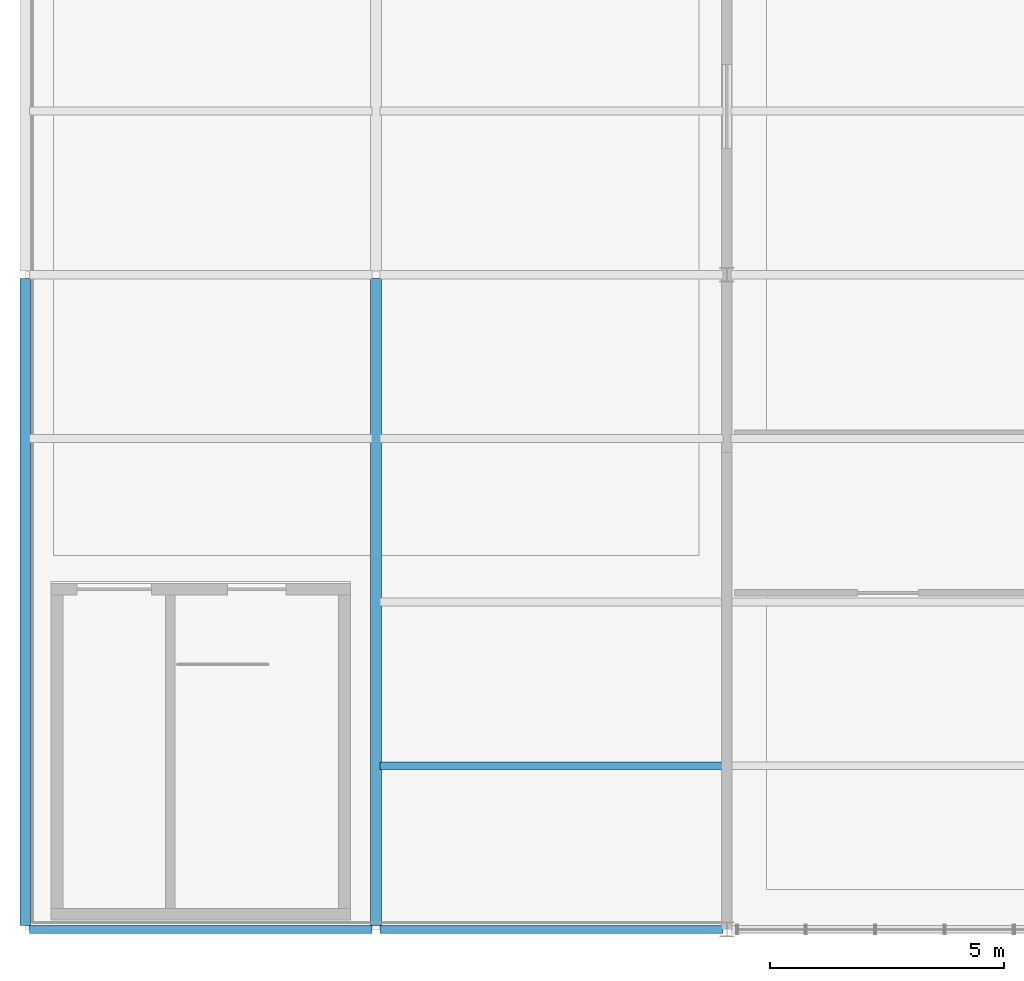
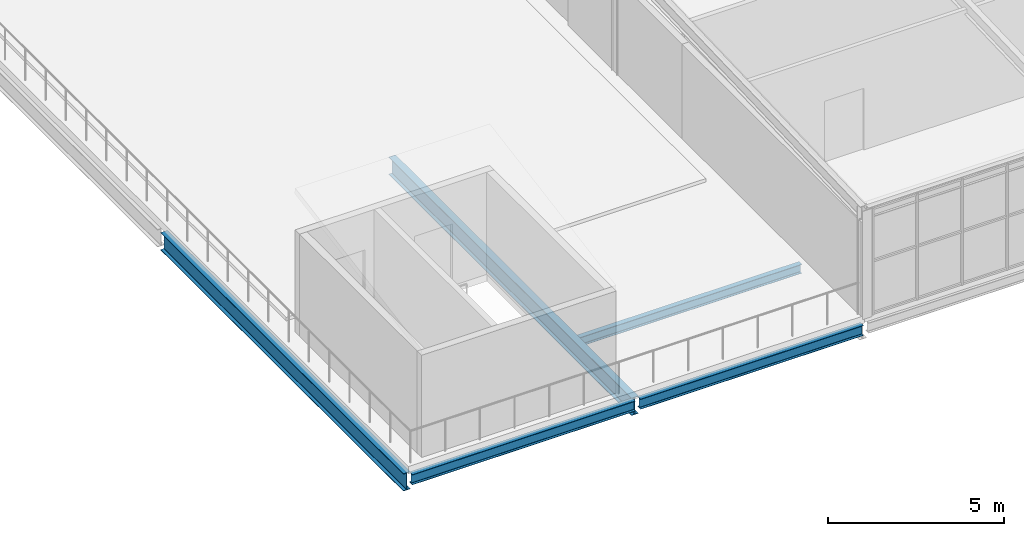
# One storey, part 3 of 27: 5 beams.
"""IFC4 building model written with IfcOpenShell, lengths in metres."""

from ifc_helpers import new_model, si_unit, direction, frame, origin, origin_2d, place, context, subcontext, project, spatial, i_section, extrude, material, material_profile, profile_set, type_object, element, save


model = new_model("IFC4")

# Units and contexts
model_context = context("Model", 3, precision=1e-05, world=origin(), true_north=direction((0.0, 1.0)))
body_context = subcontext(model_context, "Body", "Model", "MODEL_VIEW")
ifc_project = project(units=[si_unit("LENGTHUNIT", "METRE"), si_unit("AREAUNIT", "SQUARE_METRE"), si_unit("VOLUMEUNIT", "CUBIC_METRE"), si_unit("PLANEANGLEUNIT", "RADIAN"), si_unit("MASSUNIT", "GRAM", prefix="KILO")], contexts=[model_context])

# Site, building, storey
site_placement = place(None, origin())
site = spatial("IfcSite", under=ifc_project, at=site_placement, CompositionType="ELEMENT")
building_placement = place(site_placement, origin())
building = spatial("IfcBuilding", under=site, at=building_placement, Name="Solvenia Promenade Tram Depot", CompositionType="ELEMENT")
storey_placement = place(building_placement, frame((0.0, 0.0, 13.5)))
storey = spatial("IfcBuildingStorey", under=building, at=storey_placement, Name="L03", CompositionType="ELEMENT", Elevation=13.5)

# Beams
ifc_material = material(Name="Structural steel ASTM A992 Gr. 50", Category="steel")
ifc_material_profile_1 = material_profile(ifc_material, i_section(OverallWidth=0.22900390625, OverallDepth=0.612060546875, WebThickness=0.011962890625, FlangeThickness=0.01953125, FilletRadius=0.014892578125, at=origin_2d()), Name="W610x125", Category="steel")
ifc_profile_set_1 = profile_set([ifc_material_profile_1], Name="Structural steel ASTM A992 Gr. 50")
beam_type_1 = type_object("IfcBeamType", Name="Gird-W610x125", PredefinedType="BEAM", material=ifc_profile_set_1)
for number, where, z_axis, x_axis, name in (
    (1, (105.0, 38.0849609375, -0.56591796875), (0.0, 1.0, 0.0), (-1.0, 0.0, 0.0), "Transverse Girder BM-L03-0829"),
    (2, (112.5, 38.0849609375, -0.56591796875), (0.0, 1.0, 0.0), (-1.0, 0.0, 0.0), "Transverse Girder BM-L03-0831"),
):
    element("IfcBeam", number, at=place(storey_placement, frame(where, z_axis=z_axis, x_axis=x_axis)), inside=storey, type_object=beam_type_1, Name=name, PredefinedType="BEAM", context=body_context, shape_type="SweptSolid", body=[
        extrude(i_section(OverallWidth=0.22900390625, OverallDepth=0.612060546875, WebThickness=0.011962890625, FlangeThickness=0.01953125, FilletRadius=0.014892578125, at=origin_2d()), origin(), (0.0, 0.0, 1.0), 13.830078125),
    ])
ifc_material_profile_2 = material_profile(ifc_material, i_section(OverallWidth=0.166015625, OverallDepth=0.31298828125, WebThickness=0.006591796875, FlangeThickness=0.01123046875, FilletRadius=0.010009765625, at=origin_2d()), Name="W310x45", Category="steel")
ifc_profile_set_2 = profile_set([ifc_material_profile_2], Name="Structural steel ASTM A992 Gr. 50")
beam_type_2 = type_object("IfcBeamType", Name="Joist-W310x45", PredefinedType="JOIST", material=ifc_profile_set_2)
beam_placement = place(storey_placement, frame((112.5849609375, 41.5, -0.41650390625), z_axis=(1.0, 0.0, 0.0), x_axis=(0.0, 1.0, 0.0)))
element("IfcBeam", 3, at=beam_placement, inside=storey, type_object=beam_type_2, Name="Secondary Floor Joist BM-L03-0837", PredefinedType="JOIST", context=body_context, shape_type="SweptSolid", body=[
    extrude(i_section(OverallWidth=0.166015625, OverallDepth=0.31298828125, WebThickness=0.006591796875, FlangeThickness=0.01123046875, FilletRadius=0.010009765625, at=origin_2d()), origin(), (0.0, 0.0, 1.0), 7.330078125),
])
ifc_material_profile_3 = material_profile(ifc_material, i_section(OverallWidth=0.172119140625, OverallDepth=0.35791015625, WebThickness=0.0078125, FlangeThickness=0.01318359375, FilletRadius=0.010986328125, at=origin_2d()), Name="W360x57", Category="steel")
ifc_profile_set_3 = profile_set([ifc_material_profile_3], Name="Structural steel ASTM A992 Gr. 50")
beam_type_3 = type_object("IfcBeamType", Name="Spandrel-W360x57", PredefinedType="SPANDREL", material=ifc_profile_set_3)
for number, where, z_axis, x_axis, name in (
    (4, (105.0849609375, 38.0, -0.43896484375), (1.0, 0.0, 0.0), (0.0, 1.0, 0.0), "Perimeter Spandrel BM-L03-0823"),
    (5, (112.5849609375, 38.0, -0.43896484375), (1.0, 0.0, 0.0), (0.0, 1.0, 0.0), "Perimeter Spandrel BM-L03-0824"),
):
    element("IfcBeam", number, at=place(storey_placement, frame(where, z_axis=z_axis, x_axis=x_axis)), inside=storey, type_object=beam_type_3, Name=name, PredefinedType="SPANDREL", context=body_context, shape_type="SweptSolid", body=[
        extrude(i_section(OverallWidth=0.172119140625, OverallDepth=0.35791015625, WebThickness=0.0078125, FlangeThickness=0.01318359375, FilletRadius=0.010986328125, at=origin_2d()), origin(), (0.0, 0.0, 1.0), 7.330078125),
    ])

save(model, "model.ifc")
